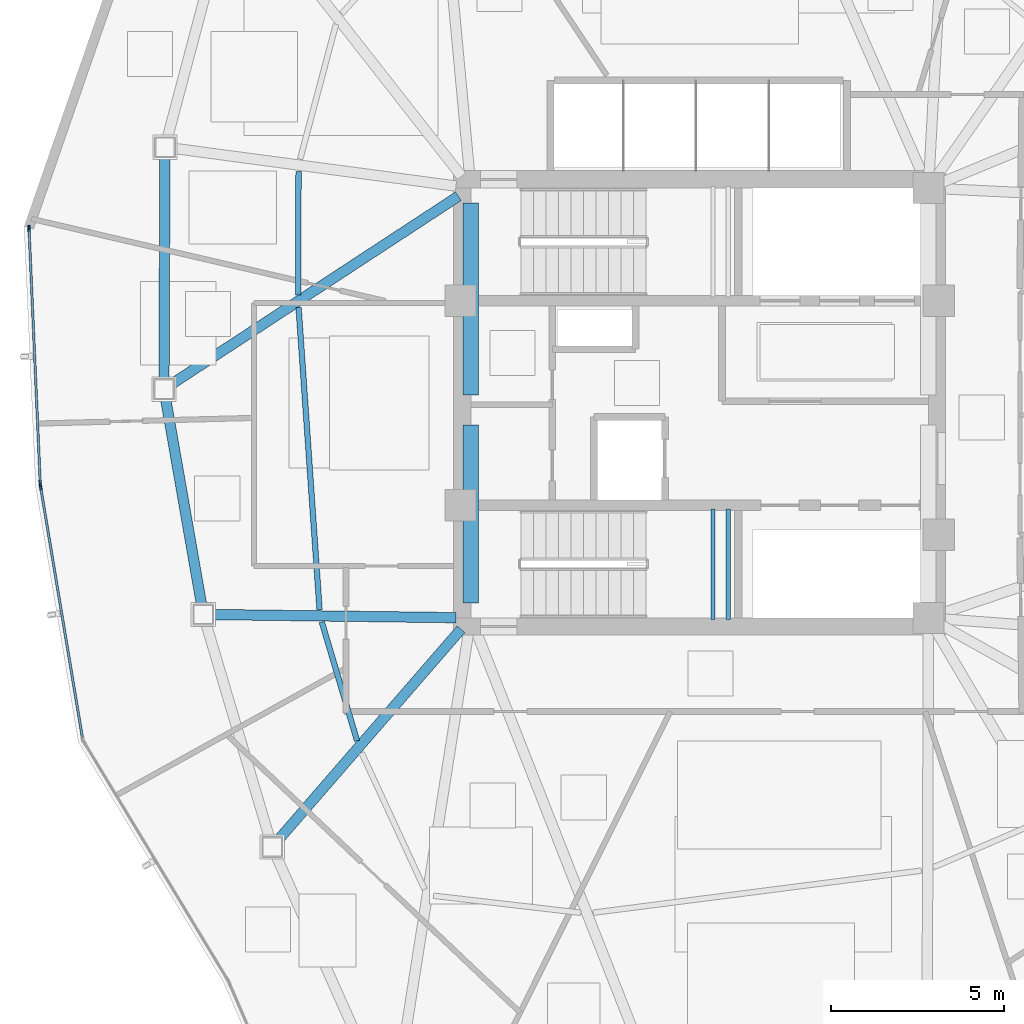
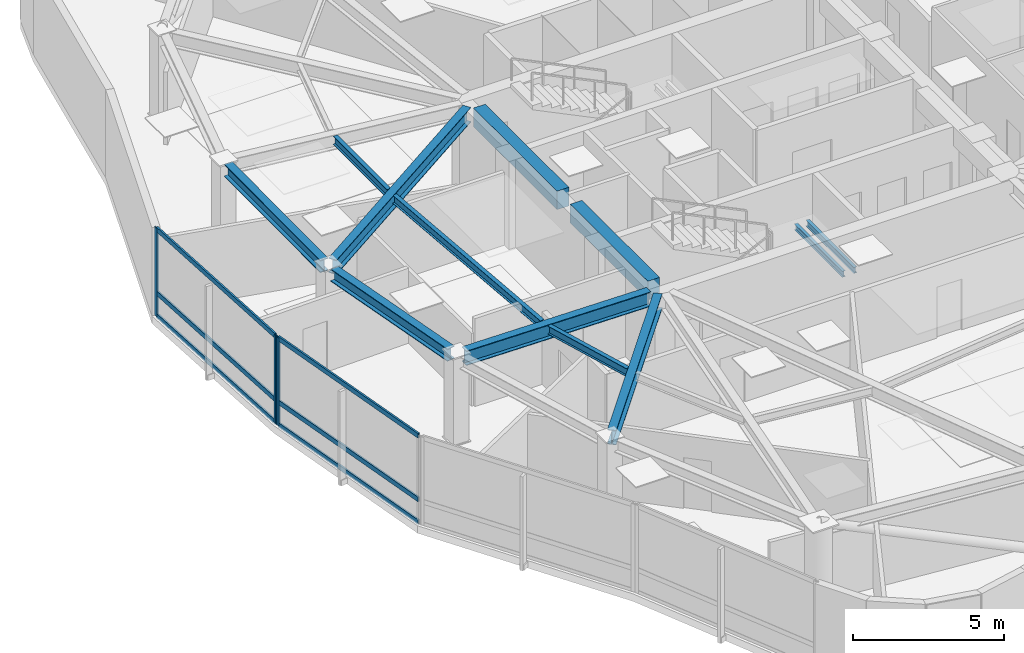
# One storey, part 4 of 17: 12 beams, 9 members, 2 elements without a shape of their own.
"""IFC4 building model written with IfcOpenShell, lengths in metres."""

from ifc_helpers import new_model, si_unit, direction, frame, origin, origin_2d, place, context, subcontext, project, spatial, rectangle, hollow_rectangle, i_section, extrude, source, transform, mapped, material, layer, layer_set, material_profile, profile_set, type_object, type_shapes, element, aggregate, save


model = new_model("IFC4")

# Units and contexts
model_context = context("Model", 3, precision=1e-05, world=origin(), true_north=direction((0.0, 1.0)))
body_context = subcontext(model_context, "Body", "Model", "MODEL_VIEW")
ifc_project = project(units=[si_unit("LENGTHUNIT", "METRE"), si_unit("AREAUNIT", "SQUARE_METRE"), si_unit("VOLUMEUNIT", "CUBIC_METRE"), si_unit("PLANEANGLEUNIT", "RADIAN"), si_unit("MASSUNIT", "GRAM", prefix="KILO")], contexts=[model_context])

# Site, building, storey
site_placement = place(None, origin())
site = spatial("IfcSite", under=ifc_project, at=site_placement, CompositionType="ELEMENT")
building_placement = place(site_placement, origin())
building = spatial("IfcBuilding", under=site, at=building_placement, Name="Tavelor Broadcast Tower", CompositionType="ELEMENT")
storey_placement = place(building_placement, frame((0.0, 0.0, 184.89990234375)))
storey = spatial("IfcBuildingStorey", under=building, at=storey_placement, Name="L44", CompositionType="ELEMENT", Elevation=184.89990234375)

# Beams
ifc_material_1 = material(Name="Concrete C40/50", Category="concrete")
ifc_material_profile_1 = material_profile(ifc_material_1, rectangle(XDim=0.449951171875, YDim=0.75, at=origin_2d()), Name="RC 450x750")
ifc_profile_set_1 = profile_set([ifc_material_profile_1], Name="Concrete C40/50")
beam_type_1 = type_object("IfcBeamType", Name="Basement Core Trim Beam 450x750", PredefinedType="BEAM", material=ifc_profile_set_1)
beam_1_placement = place(storey_placement, frame((43.39990234375, 45.23193359375, 3.175048828125), z_axis=(0.0, 1.0, 0.0), x_axis=(-1.0, 0.0, 0.0)))
element("IfcBeam", 1, at=beam_1_placement, inside=storey, type_object=beam_type_1, Name="L44 Core West-N Tie Girder", PredefinedType="BEAM", context=body_context, shape_type="SweptSolid", body=[
    extrude(rectangle(XDim=0.449951171875, YDim=0.75, at=origin_2d()), origin(), (0.0, 0.0, 1.0), 5.5361328125),
])
beam_2_placement = place(storey_placement, frame((43.39990234375, 39.23193359375, 3.175048828125), z_axis=(0.0, 1.0, 0.0), x_axis=(-1.0, 0.0, 0.0)))
element("IfcBeam", 2, at=beam_2_placement, inside=storey, type_object=beam_type_1, Name="L44 Core West-S Tie Girder", PredefinedType="BEAM", context=body_context, shape_type="SweptSolid", body=[
    extrude(rectangle(XDim=0.449951171875, YDim=0.75, at=origin_2d()), origin(), (0.0, 0.0, 1.0), 5.135986328125),
])
ifc_material_2 = material(Name="Steel S355", Category="steel")
ifc_material_profile_2 = material_profile(ifc_material_2, i_section(OverallWidth=0.159912109375, OverallDepth=0.330078125, WebThickness=0.007568359375, FlangeThickness=0.011474609375, at=origin_2d()), Name="IPE 330")
ifc_profile_set_2 = profile_set([ifc_material_profile_2], Name="Steel S355")
beam_type_2 = type_object("IfcBeamType", Name="Composite Floor Joist T4 IPE 330", PredefinedType="JOIST", material=ifc_profile_set_2)
beam_3_placement = place(storey_placement, frame((38.428955078125, 51.68310546875, 3.385009765625), z_axis=(-0.002943579799, -0.99999566766, 0.0), x_axis=(0.99999566766, -0.002943579799, 0.0)))
element("IfcBeam", 3, at=beam_3_placement, inside=storey, type_object=beam_type_2, Name="L44 Secondary Composite Floor Joist 03", PredefinedType="JOIST", context=body_context, shape_type="SweptSolid", body=[
    extrude(i_section(OverallWidth=0.159912109375, OverallDepth=0.330078125, WebThickness=0.007568359375, FlangeThickness=0.011474609375, at=origin_2d()), origin(), (0.0, 0.0, 1.0), 3.56640625),
])
beam_4_placement = place(storey_placement, frame((38.430419921875, 47.755126953125, 3.385009765625), z_axis=(0.069281460066, -0.997597152808, 0.0), x_axis=(0.997597152808, 0.069281460066, 0.0)))
element("IfcBeam", 4, at=beam_4_placement, inside=storey, type_object=beam_type_2, Name="L44 Secondary Composite Floor Joist 04", PredefinedType="JOIST", context=body_context, shape_type="SweptSolid", body=[
    extrude(i_section(OverallWidth=0.159912109375, OverallDepth=0.330078125, WebThickness=0.007568359375, FlangeThickness=0.011474609375, at=origin_2d()), origin(), (0.0, 0.0, 1.0), 8.7392578125),
])
beam_5_placement = place(storey_placement, frame((39.10009765625, 38.682861328125, 3.385009765625), z_axis=(0.284738295298, -0.958605290613, 0.0), x_axis=(0.958605290613, 0.284738295298, 0.0)))
element("IfcBeam", 5, at=beam_5_placement, inside=storey, type_object=beam_type_2, Name="L44 Secondary Composite Floor Joist 05", PredefinedType="JOIST", context=body_context, shape_type="SweptSolid", body=[
    extrude(i_section(OverallWidth=0.159912109375, OverallDepth=0.330078125, WebThickness=0.007568359375, FlangeThickness=0.011474609375, at=origin_2d()), origin(), (0.0, 0.0, 1.0), 3.58056640625),
])
ifc_material_profile_3 = material_profile(ifc_material_2, i_section(OverallWidth=0.300048828125, OverallDepth=0.5, WebThickness=0.014404296875, FlangeThickness=0.028076171875, at=origin_2d()), Name="HEB 500")
ifc_profile_set_3 = profile_set([ifc_material_profile_3], Name="Steel S355")
beam_type_3 = type_object("IfcBeamType", Name="Perimeter Spandrel Beam T4 HEB 500", PredefinedType="SPANDREL", material=ifc_profile_set_3)
beam_6_placement = place(storey_placement, frame((34.573974609375, 52.09130859375, 3.300048828125), z_axis=(-0.004117073981, -0.999991524815, 0.0), x_axis=(0.999991524815, -0.004117073981, 0.0)))
element("IfcBeam", 6, at=beam_6_placement, inside=storey, type_object=beam_type_3, Name="L44 Framed-Tube Ring Spandrel 03", PredefinedType="SPANDREL", context=body_context, shape_type="SweptSolid", body=[
    extrude(i_section(OverallWidth=0.300048828125, OverallDepth=0.5, WebThickness=0.014404296875, FlangeThickness=0.028076171875, at=origin_2d()), origin(), (0.0, 0.0, 1.0), 6.404296875),
])
beam_7_placement = place(storey_placement, frame((34.595947265625, 45.115478515625, 3.300048828125), z_axis=(0.171987908601, -0.985099060651, 0.0), x_axis=(0.985099060651, 0.171987908601, 0.0)))
element("IfcBeam", 7, at=beam_7_placement, inside=storey, type_object=beam_type_3, Name="L44 Framed-Tube Ring Spandrel 04", PredefinedType="SPANDREL", context=body_context, shape_type="SweptSolid", body=[
    extrude(i_section(OverallWidth=0.300048828125, OverallDepth=0.5, WebThickness=0.014404296875, FlangeThickness=0.028076171875, at=origin_2d()), origin(), (0.0, 0.0, 1.0), 6.021728515625),
])
ifc_material_profile_4 = material_profile(ifc_material_2, i_section(OverallWidth=0.300048828125, OverallDepth=0.590087890625, WebThickness=0.012939453125, FlangeThickness=0.02490234375, at=origin_2d()), Name="HEA 600")
ifc_profile_set_4 = profile_set([ifc_material_profile_4], Name="Steel S355")
beam_type_4 = type_object("IfcBeamType", Name="Radial Floor Girder T4 HEA 600", PredefinedType="BEAM", material=ifc_profile_set_4)
beam_8_placement = place(storey_placement, frame((43.038818359375, 50.963134765625, 3.255126953125), z_axis=(-0.83645565271, -0.548034616652, 0.0), x_axis=(0.548034616652, -0.83645565271, 0.0)))
element("IfcBeam", 8, at=beam_8_placement, inside=storey, type_object=beam_type_4, Name="L44 Radial Primary Floor Girder 04", PredefinedType="BEAM", context=body_context, shape_type="SweptSolid", body=[
    extrude(i_section(OverallWidth=0.300048828125, OverallDepth=0.590087890625, WebThickness=0.012939453125, FlangeThickness=0.02490234375, at=origin_2d()), origin(), (0.0, 0.0, 1.0), 9.86474609375),
])
beam_9_placement = place(storey_placement, frame((42.968017578125, 38.8056640625, 3.255126953125), z_axis=(-0.99991627243, 0.012940175006, 0.0), x_axis=(-0.012940175006, -0.99991627243, 0.0)))
element("IfcBeam", 9, at=beam_9_placement, inside=storey, type_object=beam_type_4, Name="L44 Radial Primary Floor Girder 05", PredefinedType="BEAM", context=body_context, shape_type="SweptSolid", body=[
    extrude(i_section(OverallWidth=0.300048828125, OverallDepth=0.590087890625, WebThickness=0.012939453125, FlangeThickness=0.02490234375, at=origin_2d()), origin(), (0.0, 0.0, 1.0), 6.99951171875),
])
beam_10_placement = place(storey_placement, frame((43.116943359375, 38.4736328125, 3.255126953125), z_axis=(-0.655167826376, -0.755483367972, 0.0), x_axis=(0.755483367972, -0.655167826376, 0.0)))
element("IfcBeam", 10, at=beam_10_placement, inside=storey, type_object=beam_type_4, Name="L44 Radial Primary Floor Girder 06", PredefinedType="BEAM", context=body_context, shape_type="SweptSolid", body=[
    extrude(i_section(OverallWidth=0.300048828125, OverallDepth=0.590087890625, WebThickness=0.012939453125, FlangeThickness=0.02490234375, at=origin_2d()), origin(), (0.0, 0.0, 1.0), 8.02880859375),
])
ifc_material_profile_5 = material_profile(ifc_material_2, i_section(OverallWidth=0.1201171875, OverallDepth=0.239990234375, WebThickness=0.006103515625, FlangeThickness=0.009765625, at=origin_2d()), Name="IPE 240")
ifc_profile_set_5 = profile_set([ifc_material_profile_5], Name="Steel S355")
beam_type_5 = type_object("IfcBeamType", Name="Stairwell Landing Support Trimmer Beam IPE240", PredefinedType="BEAM", material=ifc_profile_set_5)
for number, where, z_axis, x_axis, name in (
    (11, (50.385009765625, 38.760009765625, 1.610107421875), (0.0, 1.0, 0.0), (-1.0, 0.0, 0.0), "L44 Stair Landing Support Beam 335"),
    (12, (50.824951171875, 38.760009765625, 1.610107421875), (0.0, 1.0, 0.0), (-1.0, 0.0, 0.0), "L44 Stair Landing Support Beam 336"),
):
    element("IfcBeam", number, at=place(storey_placement, frame(where, z_axis=z_axis, x_axis=x_axis)), inside=storey, type_object=beam_type_5, Name=name, PredefinedType="BEAM", context=body_context, shape_type="SweptSolid", body=[
        extrude(i_section(OverallWidth=0.1201171875, OverallDepth=0.239990234375, WebThickness=0.006103515625, FlangeThickness=0.009765625, at=origin_2d()), origin(), (0.0, 0.0, 1.0), 3.179931640625),
    ])

# Curtain wall, members
ifc_material_3 = material(Name="Architectural Anodized Aluminium", Category="aluminium")
ifc_layer = layer(ifc_material_3, 0.18994140625)
ifc_layer_set = layer_set([ifc_layer], Name="Architectural Anodized Aluminium")
curtain_wall_type = type_object("IfcCurtainWallType", Name="Tower Mid-Zone Acoustic Curtain Wall CW03", PredefinedType="NOTDEFINED", material=ifc_layer_set)
curtain_wall_1_placement = place(storey_placement, origin())
curtain_wall_1 = element("IfcCurtainWall", 13, at=curtain_wall_1_placement, inside=storey, type_object=curtain_wall_type, Name="L44 Curtain Wall CW03 Run 469", PredefinedType="NOTDEFINED")
ifc_material_profile_6 = material_profile(ifc_material_3, hollow_rectangle(XDim=0.068115234375, YDim=0.18994140625, WallThickness=0.02197265625, at=origin_2d()), Name="RHS 68x190x22")
ifc_profile_set_6 = profile_set([ifc_material_profile_6], Name="Architectural Anodized Aluminium")
member_type_1 = type_object("IfcMemberType", Name="CW03 Extruded Aluminium Mullion 68x190", PredefinedType="MULLION", material=ifc_profile_set_6)
shared_shape_1 = source(origin(), body_context, "Body", "SweptSolid", [
    extrude(hollow_rectangle(XDim=0.068115234375, YDim=0.18994140625, WallThickness=0.02197265625, at=origin_2d()), origin(), (0.0, 0.0, 1.0), 3.550048828125),
])
type_shapes(member_type_1, [shared_shape_1])
member_1_placement = place(storey_placement, frame((30.653076171875, 50.033447265625, 0.0), z_axis=(0.0, 0.0, 1.0), x_axis=(0.99902879208, 0.044062144701, 0.0)))
member_1 = element("IfcMember", 14, at=member_1_placement, type_object=member_type_1, Name="CW03 mullion 1", PredefinedType="MULLION", context=body_context, shape_type="MappedRepresentation", body=[
    mapped(shared_shape_1, transform((0.0, 0.0, 0.0), scale=1.0)),
])
member_2_placement = place(storey_placement, frame((30.977783203125, 42.67138671875, 0.0), z_axis=(0.0, 0.0, 1.0), x_axis=(0.99902879208, 0.044062144701, 0.0)))
member_2 = element("IfcMember", 15, at=member_2_placement, type_object=member_type_1, Name="CW03 mullion 2", PredefinedType="MULLION", context=body_context, shape_type="MappedRepresentation", body=[
    mapped(shared_shape_1, transform((0.0, 0.0, 0.0), scale=1.0)),
])

# Curtain wall, member
curtain_wall_2_placement = place(storey_placement, origin())
curtain_wall_2 = element("IfcCurtainWall", 16, at=curtain_wall_2_placement, inside=storey, type_object=curtain_wall_type, Name="L44 Curtain Wall CW03 Run 470", PredefinedType="NOTDEFINED")
member_3_placement = place(storey_placement, frame((30.98828125, 42.57421875, 0.0), z_axis=(0.0, 0.0, 1.0), x_axis=(0.986358215355, 0.164613094866, 0.0)))
member_3 = element("IfcMember", 17, at=member_3_placement, type_object=member_type_1, Name="CW03 mullion 1", PredefinedType="MULLION", context=body_context, shape_type="MappedRepresentation", body=[
    mapped(shared_shape_1, transform((0.0, 0.0, 0.0), scale=1.0)),
])

# Member
ifc_material_profile_7 = material_profile(ifc_material_3, hollow_rectangle(XDim=0.068115234375, YDim=0.18994140625, WallThickness=0.02197265625, at=origin_2d()), Name="RHS 68x190x22")
ifc_profile_set_7 = profile_set([ifc_material_profile_7], Name="Architectural Anodized Aluminium")
member_type_2 = type_object("IfcMemberType", Name="CW03 Extruded Aluminium Transom 68x190", PredefinedType="USERDEFINED", material=ifc_profile_set_7)
shared_shape_2 = source(origin(), body_context, "Body", "SweptSolid", [
    extrude(hollow_rectangle(XDim=0.068115234375, YDim=0.18994140625, WallThickness=0.02197265625, at=origin_2d()), origin(), (0.0, 0.0, 1.0), 7.30126953125),
])
member_4_placement = place(storey_placement, frame((30.65478515625, 49.99951171875, 0.0341796875), z_axis=(0.044037966436, -0.999029858169, 0.0), x_axis=(0.999029858169, 0.044037966436, 0.0)))
member_4 = element("IfcMember", 18, at=member_4_placement, type_object=member_type_2, Name="CW03 transom 1.1", ObjectType="TRANSOM", PredefinedType="USERDEFINED", context=body_context, shape_type="MappedRepresentation", body=[
    mapped(shared_shape_2, transform((0.0, 0.0, 0.0), scale=1.0)),
])

member_5_placement = place(storey_placement, frame((30.65478515625, 49.99951171875, 0.9501953125), z_axis=(0.044037966436, -0.999029858169, 0.0), x_axis=(0.999029858169, 0.044037966436, 0.0)))
member_5 = element("IfcMember", 19, at=member_5_placement, type_object=member_type_2, Name="CW03 transom 1.2", ObjectType="TRANSOM", PredefinedType="USERDEFINED", context=body_context, shape_type="MappedRepresentation", body=[
    mapped(shared_shape_2, transform((0.0, 0.0, 0.0), scale=1.0)),
])

member_6_placement = place(storey_placement, frame((30.65478515625, 49.99951171875, 3.51611328125), z_axis=(0.044037966436, -0.999029858169, 0.0), x_axis=(0.999029858169, 0.044037966436, 0.0)))
member_6 = element("IfcMember", 20, at=member_6_placement, type_object=member_type_2, Name="CW03 transom 1.3", ObjectType="TRANSOM", PredefinedType="USERDEFINED", context=body_context, shape_type="MappedRepresentation", body=[
    mapped(shared_shape_2, transform((0.0, 0.0, 0.0), scale=1.0)),
])

aggregate(curtain_wall_1, [member_1, member_2, member_4, member_5, member_6])

shared_shape_3 = source(origin(), body_context, "Body", "SweptSolid", [
    extrude(hollow_rectangle(XDim=0.068115234375, YDim=0.18994140625, WallThickness=0.02197265625, at=origin_2d()), origin(), (0.0, 0.0, 1.0), 7.286376953125),
])
type_shapes(member_type_2, [shared_shape_2, shared_shape_3])
member_7_placement = place(storey_placement, frame((30.993896484375, 42.540771484375, 0.0341796875), z_axis=(0.164583722732, -0.986363116814, 0.0), x_axis=(0.986363116814, 0.164583722732, 0.0)))
member_7 = element("IfcMember", 21, at=member_7_placement, type_object=member_type_2, Name="CW03 transom 1.1", ObjectType="TRANSOM", PredefinedType="USERDEFINED", context=body_context, shape_type="MappedRepresentation", body=[
    mapped(shared_shape_3, transform((0.0, 0.0, 0.0), scale=1.0)),
])

member_8_placement = place(storey_placement, frame((30.993896484375, 42.540771484375, 0.9501953125), z_axis=(0.164583722732, -0.986363116814, 0.0), x_axis=(0.986363116814, 0.164583722732, 0.0)))
member_8 = element("IfcMember", 22, at=member_8_placement, type_object=member_type_2, Name="CW03 transom 1.2", ObjectType="TRANSOM", PredefinedType="USERDEFINED", context=body_context, shape_type="MappedRepresentation", body=[
    mapped(shared_shape_3, transform((0.0, 0.0, 0.0), scale=1.0)),
])

member_9_placement = place(storey_placement, frame((30.993896484375, 42.540771484375, 3.51611328125), z_axis=(0.164583722732, -0.986363116814, 0.0), x_axis=(0.986363116814, 0.164583722732, 0.0)))
member_9 = element("IfcMember", 23, at=member_9_placement, type_object=member_type_2, Name="CW03 transom 1.3", ObjectType="TRANSOM", PredefinedType="USERDEFINED", context=body_context, shape_type="MappedRepresentation", body=[
    mapped(shared_shape_3, transform((0.0, 0.0, 0.0), scale=1.0)),
])

aggregate(curtain_wall_2, [member_3, member_7, member_8, member_9])

save(model, "model.ifc")
